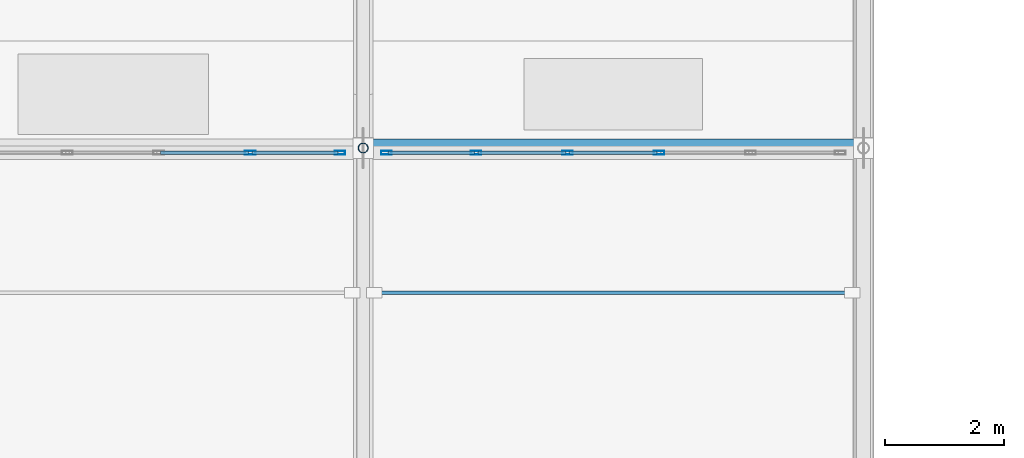
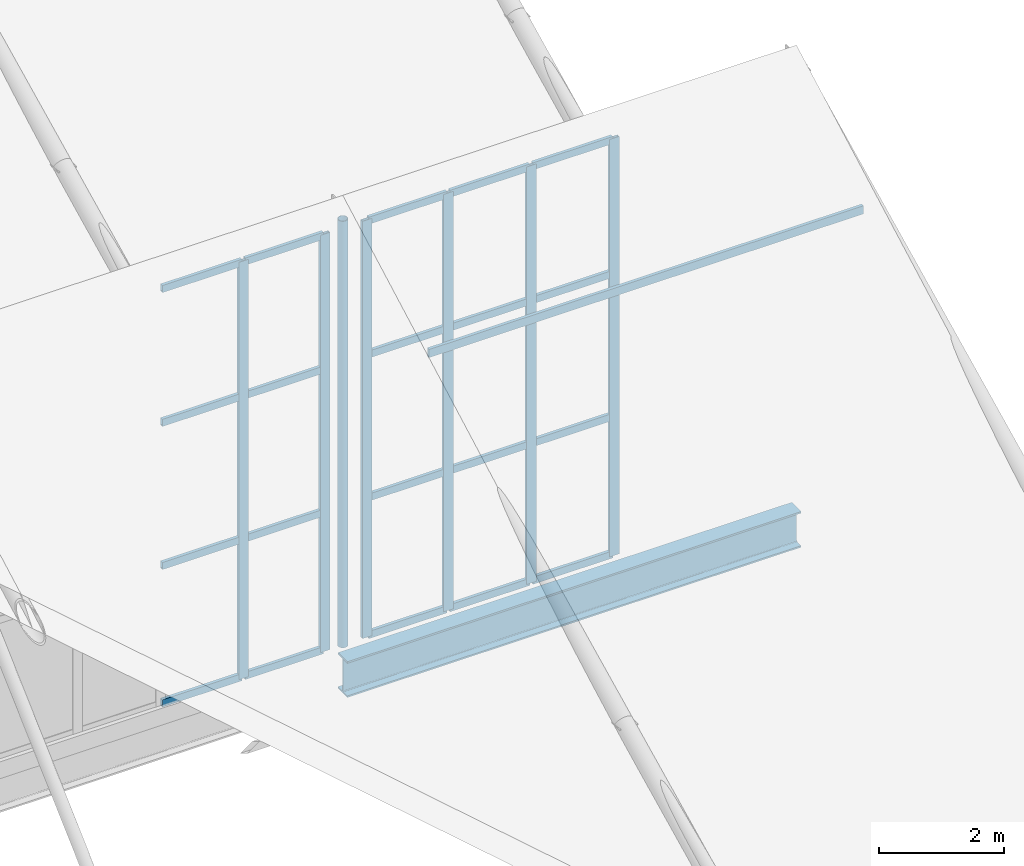
# One storey, part 16 of 38: 28 members, 1 beam, 2 elements without a shape of their own.
"""IFC4 building model written with IfcOpenShell, lengths in metres."""

from ifc_helpers import new_model, si_unit, direction, frame, origin, origin_2d, place, context, subcontext, project, spatial, hollow_rectangle, hollow_circle, i_section, extrude, material, material_profile, profile_set, type_object, element, aggregate, save


model = new_model("IFC4")

# Units and contexts
model_context = context("Model", 3, precision=1e-05, world=origin(), true_north=direction((0.0, 1.0)))
body_context = subcontext(model_context, "Body", "Model", "MODEL_VIEW")
ifc_project = project(units=[si_unit("LENGTHUNIT", "METRE"), si_unit("AREAUNIT", "SQUARE_METRE"), si_unit("VOLUMEUNIT", "CUBIC_METRE"), si_unit("PLANEANGLEUNIT", "RADIAN"), si_unit("MASSUNIT", "GRAM", prefix="KILO")], contexts=[model_context])

# Site, building, storey
site_placement = place(None, origin())
site = spatial("IfcSite", under=ifc_project, at=site_placement, CompositionType="ELEMENT")
building_placement = place(site_placement, origin())
building = spatial("IfcBuilding", under=site, at=building_placement, Name="Veltarok Museum of Natural Sciences", CompositionType="ELEMENT")
storey_placement = place(building_placement, frame((0.0, 0.0, 31.199951171875)))
storey = spatial("IfcBuildingStorey", under=building, at=storey_placement, Name="RF", CompositionType="ELEMENT", Elevation=31.199951171875)

# Beam
ifc_material_1 = material(Name="Steel S355J2", Category="steel")
ifc_material_profile_1 = material_profile(ifc_material_1, i_section(OverallWidth=0.300048828125, OverallDepth=0.699951171875, WebThickness=0.01708984375, FlangeThickness=0.031982421875, FilletRadius=0.027099609375, at=origin_2d()), Name="HEB 700")
ifc_profile_set_1 = profile_set([ifc_material_profile_1], Name="Steel S355J2")
beam_type = type_object("IfcBeamType", Name="Long-Span Hall Girder HEB 700", PredefinedType="BEAM", material=ifc_profile_set_1)
beam_placement = place(storey_placement, frame((90.39990234375, 54.0, -6.389892578125), z_axis=(1.0, 0.0, 0.0), x_axis=(0.0, 1.0, 0.0)))
element("IfcBeam", 1, at=beam_placement, inside=storey, type_object=beam_type, Name="Sawtooth Valley Girder 11-12 Y=54.0", PredefinedType="BEAM", context=body_context, shape_type="SweptSolid", body=[
    extrude(i_section(OverallWidth=0.300048828125, OverallDepth=0.699951171875, WebThickness=0.01708984375, FlangeThickness=0.031982421875, FilletRadius=0.027099609375, at=origin_2d()), origin(), (0.0, 0.0, 1.0), 8.400146484375),
])

# Curtain wall, members
ifc_material_2 = material(Name="Low-iron triple insulated glass", Category="glass")
curtain_wall_type = type_object("IfcCurtainWallType", Name="Curtain Wall System CW-SAW-M1-768x817 (Sawtooth North Clerestory M1 768x817cm)", PredefinedType="NOTDEFINED", material=ifc_material_2)
curtain_wall_1_placement = place(storey_placement, origin())
curtain_wall_1 = element("IfcCurtainWall", 2, at=curtain_wall_1_placement, inside=storey, type_object=curtain_wall_type, Name="Curtain Wall CW-SAW-M1-768x817 CW-SAW-0082", PredefinedType="NOTDEFINED")
ifc_material_3 = material(Name="Thermally broken anodised aluminium", Category="aluminium")
ifc_material_profile_2 = material_profile(ifc_material_3, hollow_rectangle(XDim=0.06005859375, YDim=0.179931640625, WallThickness=0.006103515625, at=origin_2d()), Name="CW MULLION 60x180x6")
ifc_profile_set_2 = profile_set([ifc_material_profile_2], Name="Thermally broken anodised aluminium")
member_type_1 = type_object("IfcMemberType", Name="Sawtooth Clerestory Mullion 60x180x6", PredefinedType="MULLION", material=ifc_profile_set_2)
member_1_placement = place(storey_placement, frame((90.010009765625, 53.919921875, -5.719970703125), z_axis=(0.0, 0.0, 1.0), x_axis=(0.0, -1.0, 0.0)))
member_1 = element("IfcMember", 3, at=member_1_placement, type_object=member_type_1, Name="CW-SAW-M1-768x817 mullion 1", PredefinedType="MULLION", context=body_context, shape_type="SweptSolid", body=[
    extrude(hollow_rectangle(XDim=0.06005859375, YDim=0.179931640625, WallThickness=0.006103515625, at=origin_2d()), origin(), (0.0, 0.0, 1.0), 8.169921875),
])
member_2_placement = place(storey_placement, frame((88.50390625, 53.919921875, -5.719970703125), z_axis=(0.0, 0.0, 1.0), x_axis=(0.0, -1.0, 0.0)))
member_2 = element("IfcMember", 4, at=member_2_placement, type_object=member_type_1, Name="CW-SAW-M1-768x817 mullion 2", PredefinedType="MULLION", context=body_context, shape_type="SweptSolid", body=[
    extrude(hollow_rectangle(XDim=0.06005859375, YDim=0.179931640625, WallThickness=0.006103515625, at=origin_2d()), origin(), (0.0, 0.0, 1.0), 8.169921875),
])

curtain_wall_2_placement = place(storey_placement, origin())
curtain_wall_2 = element("IfcCurtainWall", 5, at=curtain_wall_2_placement, inside=storey, type_object=curtain_wall_type, Name="Curtain Wall CW-SAW-M1-768x817 CW-SAW-0084", PredefinedType="NOTDEFINED")
member_3_placement = place(storey_placement, frame((95.367919921875, 53.919921875, -5.719970703125), z_axis=(0.0, 0.0, 1.0), x_axis=(0.0, -1.0, 0.0)))
member_3 = element("IfcMember", 6, at=member_3_placement, type_object=member_type_1, Name="CW-SAW-M1-768x817 mullion 3", PredefinedType="MULLION", context=body_context, shape_type="SweptSolid", body=[
    extrude(hollow_rectangle(XDim=0.06005859375, YDim=0.179931640625, WallThickness=0.006103515625, at=origin_2d()), origin(), (0.0, 0.0, 1.0), 8.169921875),
])
member_4_placement = place(storey_placement, frame((93.83203125, 53.919921875, -5.719970703125), z_axis=(0.0, 0.0, 1.0), x_axis=(0.0, -1.0, 0.0)))
member_4 = element("IfcMember", 7, at=member_4_placement, type_object=member_type_1, Name="CW-SAW-M1-768x817 mullion 4", PredefinedType="MULLION", context=body_context, shape_type="SweptSolid", body=[
    extrude(hollow_rectangle(XDim=0.06005859375, YDim=0.179931640625, WallThickness=0.006103515625, at=origin_2d()), origin(), (0.0, 0.0, 1.0), 8.169921875),
])
member_5_placement = place(storey_placement, frame((92.2958984375, 53.919921875, -5.719970703125), z_axis=(0.0, 0.0, 1.0), x_axis=(0.0, -1.0, 0.0)))
member_5 = element("IfcMember", 8, at=member_5_placement, type_object=member_type_1, Name="CW-SAW-M1-768x817 mullion 5", PredefinedType="MULLION", context=body_context, shape_type="SweptSolid", body=[
    extrude(hollow_rectangle(XDim=0.06005859375, YDim=0.179931640625, WallThickness=0.006103515625, at=origin_2d()), origin(), (0.0, 0.0, 1.0), 8.169921875),
])
member_6_placement = place(storey_placement, frame((90.7900390625, 53.919921875, -5.719970703125), z_axis=(0.0, 0.0, 1.0), x_axis=(0.0, -1.0, 0.0)))
member_6 = element("IfcMember", 9, at=member_6_placement, type_object=member_type_1, Name="CW-SAW-M1-768x817 mullion 6", PredefinedType="MULLION", context=body_context, shape_type="SweptSolid", body=[
    extrude(hollow_rectangle(XDim=0.06005859375, YDim=0.179931640625, WallThickness=0.006103515625, at=origin_2d()), origin(), (0.0, 0.0, 1.0), 8.169921875),
])

# Member
ifc_material_profile_3 = material_profile(ifc_material_3, hollow_rectangle(XDim=0.06005859375, YDim=0.139892578125, WallThickness=0.0048828125, at=origin_2d()), Name="CW TRANSOM 60x140x5")
ifc_profile_set_3 = profile_set([ifc_material_profile_3], Name="Thermally broken anodised aluminium")
member_type_2 = type_object("IfcMemberType", Name="Sawtooth Clerestory Transom 60x140x5", PredefinedType="USERDEFINED", material=ifc_profile_set_3)
member_7_placement = place(storey_placement, frame((89.97998046875, 53.919921875, -5.68994140625), z_axis=(-1.0, 0.0, 0.0), x_axis=(0.0, -1.0, 0.0)))
member_7 = element("IfcMember", 10, at=member_7_placement, type_object=member_type_2, Name="CW-SAW-M1-768x817 transom 1.1", ObjectType="TRANSOM", PredefinedType="USERDEFINED", context=body_context, shape_type="SweptSolid", body=[
    extrude(hollow_rectangle(XDim=0.06005859375, YDim=0.139892578125, WallThickness=0.0048828125, at=origin_2d()), origin(), (0.0, 0.0, 1.0), 1.446044921875),
])

member_8_placement = place(storey_placement, frame((89.97998046875, 53.919921875, -3.0), z_axis=(-1.0, 0.0, 0.0), x_axis=(0.0, -1.0, 0.0)))
member_8 = element("IfcMember", 11, at=member_8_placement, type_object=member_type_2, Name="CW-SAW-M1-768x817 transom 1.2", ObjectType="TRANSOM", PredefinedType="USERDEFINED", context=body_context, shape_type="SweptSolid", body=[
    extrude(hollow_rectangle(XDim=0.06005859375, YDim=0.139892578125, WallThickness=0.0048828125, at=origin_2d()), origin(), (0.0, 0.0, 1.0), 1.446044921875),
])

member_9_placement = place(storey_placement, frame((89.97998046875, 53.919921875, -0.199951171875), z_axis=(-1.0, 0.0, 0.0), x_axis=(0.0, -1.0, 0.0)))
member_9 = element("IfcMember", 12, at=member_9_placement, type_object=member_type_2, Name="CW-SAW-M1-768x817 transom 1.3", ObjectType="TRANSOM", PredefinedType="USERDEFINED", context=body_context, shape_type="SweptSolid", body=[
    extrude(hollow_rectangle(XDim=0.06005859375, YDim=0.139892578125, WallThickness=0.0048828125, at=origin_2d()), origin(), (0.0, 0.0, 1.0), 1.446044921875),
])

member_10_placement = place(storey_placement, frame((89.97998046875, 53.919921875, 2.420166015625), z_axis=(-1.0, 0.0, 0.0), x_axis=(0.0, -1.0, 0.0)))
member_10 = element("IfcMember", 13, at=member_10_placement, type_object=member_type_2, Name="CW-SAW-M1-768x817 transom 1.4", ObjectType="TRANSOM", PredefinedType="USERDEFINED", context=body_context, shape_type="SweptSolid", body=[
    extrude(hollow_rectangle(XDim=0.06005859375, YDim=0.139892578125, WallThickness=0.0048828125, at=origin_2d()), origin(), (0.0, 0.0, 1.0), 1.446044921875),
])

member_11_placement = place(storey_placement, frame((88.47412109375, 53.919921875, -5.68994140625), z_axis=(-1.0, 0.0, 0.0), x_axis=(0.0, -1.0, 0.0)))
member_11 = element("IfcMember", 14, at=member_11_placement, type_object=member_type_2, Name="CW-SAW-M1-768x817 transom 2.1", ObjectType="TRANSOM", PredefinedType="USERDEFINED", context=body_context, shape_type="SweptSolid", body=[
    extrude(hollow_rectangle(XDim=0.06005859375, YDim=0.139892578125, WallThickness=0.0048828125, at=origin_2d()), origin(), (0.0, 0.0, 1.0), 1.47607421875),
])

member_12_placement = place(storey_placement, frame((88.47412109375, 53.919921875, -3.0), z_axis=(-1.0, 0.0, 0.0), x_axis=(0.0, -1.0, 0.0)))
member_12 = element("IfcMember", 15, at=member_12_placement, type_object=member_type_2, Name="CW-SAW-M1-768x817 transom 2.2", ObjectType="TRANSOM", PredefinedType="USERDEFINED", context=body_context, shape_type="SweptSolid", body=[
    extrude(hollow_rectangle(XDim=0.06005859375, YDim=0.139892578125, WallThickness=0.0048828125, at=origin_2d()), origin(), (0.0, 0.0, 1.0), 1.47607421875),
])

member_13_placement = place(storey_placement, frame((88.47412109375, 53.919921875, -0.199951171875), z_axis=(-1.0, 0.0, 0.0), x_axis=(0.0, -1.0, 0.0)))
member_13 = element("IfcMember", 16, at=member_13_placement, type_object=member_type_2, Name="CW-SAW-M1-768x817 transom 2.3", ObjectType="TRANSOM", PredefinedType="USERDEFINED", context=body_context, shape_type="SweptSolid", body=[
    extrude(hollow_rectangle(XDim=0.06005859375, YDim=0.139892578125, WallThickness=0.0048828125, at=origin_2d()), origin(), (0.0, 0.0, 1.0), 1.47607421875),
])

member_14_placement = place(storey_placement, frame((88.47412109375, 53.919921875, 2.420166015625), z_axis=(-1.0, 0.0, 0.0), x_axis=(0.0, -1.0, 0.0)))
member_14 = element("IfcMember", 17, at=member_14_placement, type_object=member_type_2, Name="CW-SAW-M1-768x817 transom 2.4", ObjectType="TRANSOM", PredefinedType="USERDEFINED", context=body_context, shape_type="SweptSolid", body=[
    extrude(hollow_rectangle(XDim=0.06005859375, YDim=0.139892578125, WallThickness=0.0048828125, at=origin_2d()), origin(), (0.0, 0.0, 1.0), 1.47607421875),
])

aggregate(curtain_wall_1, [member_1, member_2, member_7, member_8, member_9, member_10, member_11, member_12, member_13, member_14])

member_15_placement = place(storey_placement, frame((95.337890625, 53.919921875, -5.68994140625), z_axis=(-1.0, 0.0, 0.0), x_axis=(0.0, -1.0, 0.0)))
member_15 = element("IfcMember", 18, at=member_15_placement, type_object=member_type_2, Name="CW-SAW-M1-768x817 transom 3.1", ObjectType="TRANSOM", PredefinedType="USERDEFINED", context=body_context, shape_type="SweptSolid", body=[
    extrude(hollow_rectangle(XDim=0.06005859375, YDim=0.139892578125, WallThickness=0.0048828125, at=origin_2d()), origin(), (0.0, 0.0, 1.0), 1.475830078125),
])

member_16_placement = place(storey_placement, frame((95.337890625, 53.919921875, -3.0), z_axis=(-1.0, 0.0, 0.0), x_axis=(0.0, -1.0, 0.0)))
member_16 = element("IfcMember", 19, at=member_16_placement, type_object=member_type_2, Name="CW-SAW-M1-768x817 transom 3.2", ObjectType="TRANSOM", PredefinedType="USERDEFINED", context=body_context, shape_type="SweptSolid", body=[
    extrude(hollow_rectangle(XDim=0.06005859375, YDim=0.139892578125, WallThickness=0.0048828125, at=origin_2d()), origin(), (0.0, 0.0, 1.0), 1.475830078125),
])

member_17_placement = place(storey_placement, frame((95.337890625, 53.919921875, -0.199951171875), z_axis=(-1.0, 0.0, 0.0), x_axis=(0.0, -1.0, 0.0)))
member_17 = element("IfcMember", 20, at=member_17_placement, type_object=member_type_2, Name="CW-SAW-M1-768x817 transom 3.3", ObjectType="TRANSOM", PredefinedType="USERDEFINED", context=body_context, shape_type="SweptSolid", body=[
    extrude(hollow_rectangle(XDim=0.06005859375, YDim=0.139892578125, WallThickness=0.0048828125, at=origin_2d()), origin(), (0.0, 0.0, 1.0), 1.475830078125),
])

member_18_placement = place(storey_placement, frame((95.337890625, 53.919921875, 2.420166015625), z_axis=(-1.0, 0.0, 0.0), x_axis=(0.0, -1.0, 0.0)))
member_18 = element("IfcMember", 21, at=member_18_placement, type_object=member_type_2, Name="CW-SAW-M1-768x817 transom 3.4", ObjectType="TRANSOM", PredefinedType="USERDEFINED", context=body_context, shape_type="SweptSolid", body=[
    extrude(hollow_rectangle(XDim=0.06005859375, YDim=0.139892578125, WallThickness=0.0048828125, at=origin_2d()), origin(), (0.0, 0.0, 1.0), 1.475830078125),
])

member_19_placement = place(storey_placement, frame((93.802001953125, 53.919921875, -5.68994140625), z_axis=(-1.0, 0.0, 0.0), x_axis=(0.0, -1.0, 0.0)))
member_19 = element("IfcMember", 22, at=member_19_placement, type_object=member_type_2, Name="CW-SAW-M1-768x817 transom 4.1", ObjectType="TRANSOM", PredefinedType="USERDEFINED", context=body_context, shape_type="SweptSolid", body=[
    extrude(hollow_rectangle(XDim=0.06005859375, YDim=0.139892578125, WallThickness=0.0048828125, at=origin_2d()), origin(), (0.0, 0.0, 1.0), 1.47607421875),
])

member_20_placement = place(storey_placement, frame((93.802001953125, 53.919921875, -3.0), z_axis=(-1.0, 0.0, 0.0), x_axis=(0.0, -1.0, 0.0)))
member_20 = element("IfcMember", 23, at=member_20_placement, type_object=member_type_2, Name="CW-SAW-M1-768x817 transom 4.2", ObjectType="TRANSOM", PredefinedType="USERDEFINED", context=body_context, shape_type="SweptSolid", body=[
    extrude(hollow_rectangle(XDim=0.06005859375, YDim=0.139892578125, WallThickness=0.0048828125, at=origin_2d()), origin(), (0.0, 0.0, 1.0), 1.47607421875),
])

member_21_placement = place(storey_placement, frame((93.802001953125, 53.919921875, -0.199951171875), z_axis=(-1.0, 0.0, 0.0), x_axis=(0.0, -1.0, 0.0)))
member_21 = element("IfcMember", 24, at=member_21_placement, type_object=member_type_2, Name="CW-SAW-M1-768x817 transom 4.3", ObjectType="TRANSOM", PredefinedType="USERDEFINED", context=body_context, shape_type="SweptSolid", body=[
    extrude(hollow_rectangle(XDim=0.06005859375, YDim=0.139892578125, WallThickness=0.0048828125, at=origin_2d()), origin(), (0.0, 0.0, 1.0), 1.47607421875),
])

member_22_placement = place(storey_placement, frame((93.802001953125, 53.919921875, 2.420166015625), z_axis=(-1.0, 0.0, 0.0), x_axis=(0.0, -1.0, 0.0)))
member_22 = element("IfcMember", 25, at=member_22_placement, type_object=member_type_2, Name="CW-SAW-M1-768x817 transom 4.4", ObjectType="TRANSOM", PredefinedType="USERDEFINED", context=body_context, shape_type="SweptSolid", body=[
    extrude(hollow_rectangle(XDim=0.06005859375, YDim=0.139892578125, WallThickness=0.0048828125, at=origin_2d()), origin(), (0.0, 0.0, 1.0), 1.47607421875),
])

member_23_placement = place(storey_placement, frame((92.26611328125, 53.919921875, -5.68994140625), z_axis=(-1.0, 0.0, 0.0), x_axis=(0.0, -1.0, 0.0)))
member_23 = element("IfcMember", 26, at=member_23_placement, type_object=member_type_2, Name="CW-SAW-M1-768x817 transom 5.1", ObjectType="TRANSOM", PredefinedType="USERDEFINED", context=body_context, shape_type="SweptSolid", body=[
    extrude(hollow_rectangle(XDim=0.06005859375, YDim=0.139892578125, WallThickness=0.0048828125, at=origin_2d()), origin(), (0.0, 0.0, 1.0), 1.446044921875),
])

member_24_placement = place(storey_placement, frame((92.26611328125, 53.919921875, -3.0), z_axis=(-1.0, 0.0, 0.0), x_axis=(0.0, -1.0, 0.0)))
member_24 = element("IfcMember", 27, at=member_24_placement, type_object=member_type_2, Name="CW-SAW-M1-768x817 transom 5.2", ObjectType="TRANSOM", PredefinedType="USERDEFINED", context=body_context, shape_type="SweptSolid", body=[
    extrude(hollow_rectangle(XDim=0.06005859375, YDim=0.139892578125, WallThickness=0.0048828125, at=origin_2d()), origin(), (0.0, 0.0, 1.0), 1.446044921875),
])

member_25_placement = place(storey_placement, frame((92.26611328125, 53.919921875, -0.199951171875), z_axis=(-1.0, 0.0, 0.0), x_axis=(0.0, -1.0, 0.0)))
member_25 = element("IfcMember", 28, at=member_25_placement, type_object=member_type_2, Name="CW-SAW-M1-768x817 transom 5.3", ObjectType="TRANSOM", PredefinedType="USERDEFINED", context=body_context, shape_type="SweptSolid", body=[
    extrude(hollow_rectangle(XDim=0.06005859375, YDim=0.139892578125, WallThickness=0.0048828125, at=origin_2d()), origin(), (0.0, 0.0, 1.0), 1.446044921875),
])

member_26_placement = place(storey_placement, frame((92.26611328125, 53.919921875, 2.420166015625), z_axis=(-1.0, 0.0, 0.0), x_axis=(0.0, -1.0, 0.0)))
member_26 = element("IfcMember", 29, at=member_26_placement, type_object=member_type_2, Name="CW-SAW-M1-768x817 transom 5.4", ObjectType="TRANSOM", PredefinedType="USERDEFINED", context=body_context, shape_type="SweptSolid", body=[
    extrude(hollow_rectangle(XDim=0.06005859375, YDim=0.139892578125, WallThickness=0.0048828125, at=origin_2d()), origin(), (0.0, 0.0, 1.0), 1.446044921875),
])

aggregate(curtain_wall_2, [member_3, member_4, member_5, member_6, member_15, member_16, member_17, member_18, member_19, member_20, member_21, member_22, member_23, member_24, member_25, member_26])

# Members
ifc_material_profile_4 = material_profile(ifc_material_1, hollow_rectangle(XDim=0.06005859375, YDim=0.159912109375, WallThickness=0.0048828125, at=origin_2d()), Name="RHS 160x60x5")
ifc_profile_set_4 = profile_set([ifc_material_profile_4], Name="Steel S355J2")
member_type_3 = type_object("IfcMemberType", Name="Sawtooth Roof Purlin RHS 160x60x5", PredefinedType="PURLIN", material=ifc_profile_set_4)
member_27_placement = place(storey_placement, frame((90.580078125, 51.570068359375, 1.32958984375), z_axis=(1.0, 0.0, 0.0), x_axis=(0.0, 1.0, 0.0)))
element("IfcMember", 30, at=member_27_placement, inside=storey, type_object=member_type_3, Name="Sawtooth Purlin 11-12 M1", PredefinedType="PURLIN", context=body_context, shape_type="SweptSolid", body=[
    extrude(hollow_rectangle(XDim=0.06005859375, YDim=0.159912109375, WallThickness=0.0048828125, at=origin_2d()), origin(), (0.0, 0.0, 1.0), 8.0400390625),
])
ifc_material_4 = material(Name="Oxide-red painted Steel S355J2", Category="steel")
ifc_material_profile_5 = material_profile(ifc_material_4, hollow_circle(Radius=0.084228515625, WallThickness=0.008056640625, at=origin_2d()), Name="CHS 168.3x8")
ifc_profile_set_5 = profile_set([ifc_material_profile_5], Name="Oxide-red painted Steel S355J2")
member_type_4 = type_object("IfcMemberType", Name="Sawtooth Truss Vertical Strut CHS 168.3x8", PredefinedType="STRUT", material=ifc_profile_set_5)
member_28_placement = place(storey_placement, frame((90.39990234375, 54.0, -5.800048828125), z_axis=(0.0, 0.0, 1.0), x_axis=(1.0, 0.0, 0.0)))
element("IfcMember", 31, at=member_28_placement, inside=storey, type_object=member_type_4, Name="Roof Truss Strut 11 M1", PredefinedType="STRUT", context=body_context, shape_type="SweptSolid", body=[
    extrude(hollow_circle(Radius=0.084228515625, WallThickness=0.008056640625, at=origin_2d()), origin(), (0.0, 0.0, 1.0), 8.35009765625),
])

save(model, "model.ifc")
